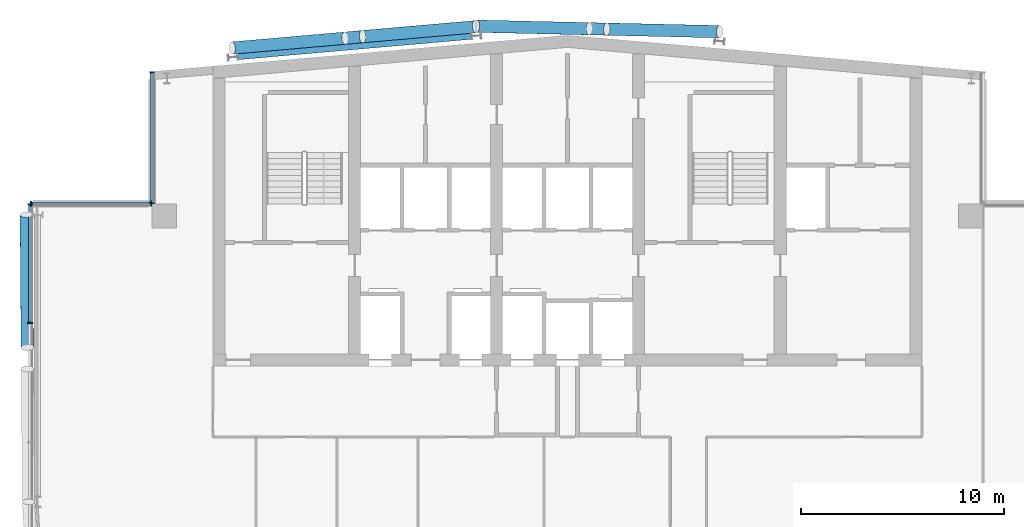
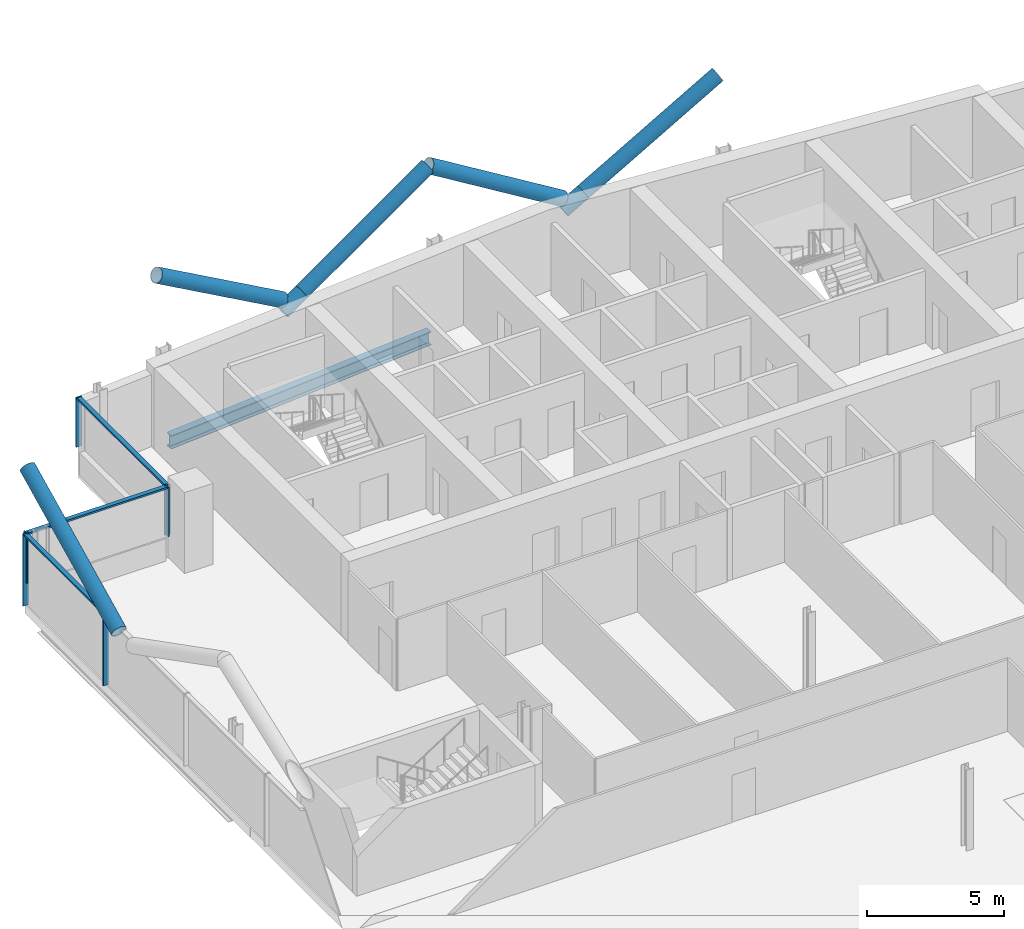
# One storey, part 10 of 26: 16 members, 1 beam, 3 elements without a shape of their own.
"""IFC4 building model written with IfcOpenShell, lengths in metres."""

from ifc_helpers import new_model, si_unit, direction, frame, origin, origin_2d, place, context, subcontext, project, spatial, rectangle, hollow_circle, i_section, extrude, material, material_profile, profile_set, type_object, element, aggregate, save


model = new_model("IFC4")

# Units and contexts
model_context = context("Model", 3, precision=1e-05, world=origin(), true_north=direction((0.0, 1.0)))
body_context = subcontext(model_context, "Body", "Model", "MODEL_VIEW")
ifc_project = project(units=[si_unit("LENGTHUNIT", "METRE"), si_unit("AREAUNIT", "SQUARE_METRE"), si_unit("VOLUMEUNIT", "CUBIC_METRE"), si_unit("PLANEANGLEUNIT", "RADIAN"), si_unit("MASSUNIT", "GRAM", prefix="KILO")], contexts=[model_context])

# Site, building, storey
site_placement = place(None, origin())
site = spatial("IfcSite", under=ifc_project, at=site_placement, CompositionType="ELEMENT")
building_placement = place(site_placement, origin())
building = spatial("IfcBuilding", under=site, at=building_placement, Name="Wharfspan Tower", CompositionType="ELEMENT")
storey_placement = place(building_placement, frame((0.0, 0.0, 214.300049)))
storey = spatial("IfcBuildingStorey", under=building, at=storey_placement, Name="L53", CompositionType="ELEMENT", Elevation=214.300049)

# Members
ifc_material_1 = material(Name="Steel S460NH", Category="steel")
ifc_material_profile_1 = material_profile(ifc_material_1, hollow_circle(Radius=0.304932, WallThickness=0.024902, at=origin_2d()))
ifc_profile_set_1 = profile_set([ifc_material_profile_1], Name="Steel S460NH")
member_type_1 = type_object("IfcMemberType", Name="Brace node tie CHS 610x25", PredefinedType="STRUT", material=ifc_profile_set_1)
member_1_placement = place(storey_placement, frame((29.536133, 50.172852, 2.645264), z_axis=(0.855099, 0.075009, 0.51301), x_axis=(-0.087385, 0.996178, 1e-06)))
element("IfcMember", 1, at=member_1_placement, inside=storey, type_object=member_type_1, Name="Brace node tie L53 N7", PredefinedType="STRUT", context=body_context, shape_type="SweptSolid", body=[
    extrude(hollow_circle(Radius=0.304932, WallThickness=0.024902, at=origin_2d()), origin(), (0.0, 0.0, 1.0), 0.992676),
])
member_2_placement = place(storey_placement, frame((41.586426, 50.63623, 2.645508), z_axis=(0.857308, -0.019501, 0.514434), x_axis=(0.022739, 0.999737, 3e-06)))
element("IfcMember", 2, at=member_2_placement, inside=storey, type_object=member_type_1, Name="Brace node tie L53 N8", PredefinedType="STRUT", context=body_context, shape_type="SweptSolid", body=[
    extrude(hollow_circle(Radius=0.304932, WallThickness=0.024902, at=origin_2d()), origin(), (0.0, 0.0, 1.0), 0.989014),
])

# Beam
ifc_material_2 = material(Name="Steel S355J2", Category="steel")
ifc_material_profile_2 = material_profile(ifc_material_2, i_section(OverallWidth=0.300049, OverallDepth=0.600098, WebThickness=0.015381, FlangeThickness=0.030029, FilletRadius=0.0271, at=origin_2d()))
ifc_profile_set_2 = profile_set([ifc_material_profile_2], Name="Steel S355J2")
beam_type = type_object("IfcBeamType", Name="Edge beam HEB 600", PredefinedType="SPANDREL", material=ifc_profile_set_2)
beam_placement = place(storey_placement, frame((35.754883, 50.263428, -0.699951), z_axis=(-0.996194, -0.087165, 0.0), x_axis=(0.087165, -0.996194, 0.0)))
element("IfcBeam", 3, at=beam_placement, inside=storey, type_object=beam_type, Name="Edge beam N1 L53 R.2 to R.1", PredefinedType="SPANDREL", context=body_context, shape_type="SweptSolid", body=[
    extrude(i_section(OverallWidth=0.300049, OverallDepth=0.600098, WebThickness=0.015381, FlangeThickness=0.030029, FilletRadius=0.0271, at=origin_2d()), origin(), (0.0, 0.0, 1.0), 11.553711),
])

# Curtain wall, members
ifc_material_3 = material(Name="Aluminium 6063-T6", Category="aluminium")
curtain_wall_type = type_object("IfcCurtainWallType", Name="CURTAIN WALL PROW AND END", PredefinedType="NOTDEFINED", material=ifc_material_3)
curtain_wall_1_placement = place(storey_placement, origin())
curtain_wall_1 = element("IfcCurtainWall", 4, at=curtain_wall_1_placement, inside=storey, type_object=curtain_wall_type, Name="Curtain wall NRW-V", PredefinedType="NOTDEFINED")
ifc_material_profile_3 = material_profile(ifc_material_3, rectangle(XDim=0.23999, YDim=0.060059, at=origin_2d()))
ifc_profile_set_3 = profile_set([ifc_material_profile_3], Name="Aluminium 6063-T6")
member_type_2 = type_object("IfcMemberType", Name="MULLION PROW AND END 60x240", PredefinedType="MULLION", material=ifc_profile_set_3)
member_3_placement = place(storey_placement, frame((20.0, 48.494873, 1.0), z_axis=(0.0, 0.0, 1.0), x_axis=(1.0, 0.0, 0.0)))
member_3 = element("IfcMember", 5, at=member_3_placement, type_object=member_type_2, Name="Curtain wall NRW-V mullion 1", PredefinedType="MULLION", context=body_context, shape_type="SweptSolid", body=[
    extrude(rectangle(XDim=0.23999, YDim=0.060059, at=origin_2d()), origin(), (0.0, 0.0, 1.0), 2.199951),
])
member_4_placement = place(storey_placement, frame((20.0, 42.030029, 1.0), z_axis=(0.0, 0.0, 1.0), x_axis=(1.0, 0.0, 0.0)))
member_4 = element("IfcMember", 6, at=member_4_placement, type_object=member_type_2, Name="Curtain wall NRW-V mullion 2", PredefinedType="MULLION", context=body_context, shape_type="SweptSolid", body=[
    extrude(rectangle(XDim=0.23999, YDim=0.060059, at=origin_2d()), origin(), (0.0, 0.0, 1.0), 2.199951),
])

curtain_wall_2_placement = place(storey_placement, origin())
curtain_wall_2 = element("IfcCurtainWall", 7, at=curtain_wall_2_placement, inside=storey, type_object=curtain_wall_type, Name="Curtain wall NRW-H", PredefinedType="NOTDEFINED")
member_5_placement = place(storey_placement, frame((19.969971, 42.0, 1.0), z_axis=(0.0, 0.0, 1.0), x_axis=(0.0, -1.0, 0.0)))
member_5 = element("IfcMember", 8, at=member_5_placement, type_object=member_type_2, Name="Curtain wall NRW-H mullion 1", PredefinedType="MULLION", context=body_context, shape_type="SweptSolid", body=[
    extrude(rectangle(XDim=0.23999, YDim=0.060059, at=origin_2d()), origin(), (0.0, 0.0, 1.0), 2.199951),
])
member_6_placement = place(storey_placement, frame((14.030029, 42.0, 1.0), z_axis=(0.0, 0.0, 1.0), x_axis=(0.0, -1.0, 0.0)))
member_6 = element("IfcMember", 9, at=member_6_placement, type_object=member_type_2, Name="Curtain wall NRW-H mullion 2", PredefinedType="MULLION", context=body_context, shape_type="SweptSolid", body=[
    extrude(rectangle(XDim=0.23999, YDim=0.060059, at=origin_2d()), origin(), (0.0, 0.0, 1.0), 2.199951),
])

curtain_wall_3_placement = place(storey_placement, origin())
curtain_wall_3 = element("IfcCurtainWall", 10, at=curtain_wall_3_placement, inside=storey, type_object=curtain_wall_type, Name="Curtain wall W", PredefinedType="NOTDEFINED")
member_7_placement = place(storey_placement, frame((14.0, 41.969971, 0.0), z_axis=(0.0, 0.0, 1.0), x_axis=(1.0, 0.0, 0.0)))
member_7 = element("IfcMember", 11, at=member_7_placement, type_object=member_type_2, Name="Curtain wall W mullion 1", PredefinedType="MULLION", context=body_context, shape_type="SweptSolid", body=[
    extrude(rectangle(XDim=0.23999, YDim=0.060059, at=origin_2d()), origin(), (0.0, 0.0, 1.0), 3.199951),
])
member_8_placement = place(storey_placement, frame((14.0, 36.120117, 0.0), z_axis=(0.0, 0.0, 1.0), x_axis=(1.0, 0.0, 0.0)))
member_8 = element("IfcMember", 12, at=member_8_placement, type_object=member_type_2, Name="Curtain wall W mullion 2", PredefinedType="MULLION", context=body_context, shape_type="SweptSolid", body=[
    extrude(rectangle(XDim=0.23999, YDim=0.060059, at=origin_2d()), origin(), (0.0, 0.0, 1.0), 3.199951),
])

# Members
ifc_material_profile_4 = material_profile(ifc_material_1, hollow_circle(Radius=0.304932, WallThickness=0.024902, at=origin_2d()))
ifc_profile_set_4 = profile_set([ifc_material_profile_4], Name="Steel S460NH")
member_type_3 = type_object("IfcMemberType", Name="Mega brace CHS 610x25", PredefinedType="BRACE", material=ifc_profile_set_4)
member_9_placement = place(storey_placement, frame((13.844727, 34.910645, 3.169922), z_axis=(-0.007044, 0.891361, 0.45324), x_axis=(-0.999973, -0.007904, 3e-06)))
element("IfcMember", 13, at=member_9_placement, inside=storey, type_object=member_type_3, Name="Mega brace W3 L53 part 4", PredefinedType="BRACE", context=body_context, shape_type="SweptSolid", body=[
    extrude(hollow_circle(Radius=0.304932, WallThickness=0.024902, at=origin_2d()), origin(), (0.0, 0.0, 1.0), 7.347168),
])
for number, where, z_axis, x_axis, name in (
    (14, (30.393555, 50.248047, 3.159668), (0.855087, 0.07481, 0.51306), (-0.087154, 0.996194, -2e-06), "Mega brace N7 L53 part 2"),
    (15, (29.527588, 50.172119, 3.159668), (-0.855077, -0.074813, 0.513076), (0.087161, -0.996195, 2e-06), "Mega brace N7 L53 part 4"),
):
    element("IfcMember", number, at=place(storey_placement, frame(where, z_axis=z_axis, x_axis=x_axis)), inside=storey, type_object=member_type_3, Name=name, PredefinedType="BRACE", context=body_context, shape_type="SweptSolid", body=[
        extrude(hollow_circle(Radius=0.304932, WallThickness=0.024902, at=origin_2d()), origin(), (0.0, 0.0, 1.0), 6.510498),
    ])
for number, where, z_axis, x_axis, name in (
    (16, (42.442871, 50.616699, 3.159424), (0.85732, -0.019474, 0.514415), (0.022708, 0.999746, 2e-06), "Mega brace N8 L53 part 2"),
    (17, (41.577881, 50.636475, 3.159424), (-0.85732, 0.019474, 0.514415), (-0.022708, -0.999746, 2e-06), "Mega brace N8 L53 part 4"),
):
    element("IfcMember", number, at=place(storey_placement, frame(where, z_axis=z_axis, x_axis=x_axis)), inside=storey, type_object=member_type_3, Name=name, PredefinedType="BRACE", context=body_context, shape_type="SweptSolid", body=[
        extrude(hollow_circle(Radius=0.304932, WallThickness=0.024902, at=origin_2d()), origin(), (0.0, 0.0, 1.0), 6.493896),
    ])

# Member
ifc_material_profile_5 = material_profile(ifc_material_3, rectangle(XDim=0.179932, YDim=0.080078, at=origin_2d()))
ifc_profile_set_5 = profile_set([ifc_material_profile_5], Name="Aluminium 6063-T6")
member_type_4 = type_object("IfcMemberType", Name="TRANSOM PROW AND END 80x180", PredefinedType="USERDEFINED", material=ifc_profile_set_5)
member_10_placement = place(storey_placement, frame((20.0, 48.464844, 3.159912), z_axis=(0.0, -1.0, 0.0), x_axis=(1.0, 0.0, 0.0)))
member_10 = element("IfcMember", 18, at=member_10_placement, type_object=member_type_4, Name="Curtain wall NRW-V transom 1", ObjectType="TRANSOM", PredefinedType="USERDEFINED", context=body_context, shape_type="SweptSolid", body=[
    extrude(rectangle(XDim=0.179932, YDim=0.080078, at=origin_2d()), origin(), (0.0, 0.0, 1.0), 6.404785),
])

aggregate(curtain_wall_1, [member_3, member_4, member_10])

member_11_placement = place(storey_placement, frame((19.939941, 42.0, 3.159912), z_axis=(-1.0, 0.0, 0.0), x_axis=(0.0, -1.0, 0.0)))
member_11 = element("IfcMember", 19, at=member_11_placement, type_object=member_type_4, Name="Curtain wall NRW-H transom 1", ObjectType="TRANSOM", PredefinedType="USERDEFINED", context=body_context, shape_type="SweptSolid", body=[
    extrude(rectangle(XDim=0.179932, YDim=0.080078, at=origin_2d()), origin(), (0.0, 0.0, 1.0), 5.879883),
])

aggregate(curtain_wall_2, [member_5, member_6, member_11])

member_12_placement = place(storey_placement, frame((14.0, 41.939941, 3.159912), z_axis=(0.0, -1.0, 0.0), x_axis=(1.0, 0.0, 0.0)))
member_12 = element("IfcMember", 20, at=member_12_placement, type_object=member_type_4, Name="Curtain wall W transom 1", ObjectType="TRANSOM", PredefinedType="USERDEFINED", context=body_context, shape_type="SweptSolid", body=[
    extrude(rectangle(XDim=0.179932, YDim=0.080078, at=origin_2d()), origin(), (0.0, 0.0, 1.0), 5.790039),
])

aggregate(curtain_wall_3, [member_7, member_8, member_12])

save(model, "model.ifc")
